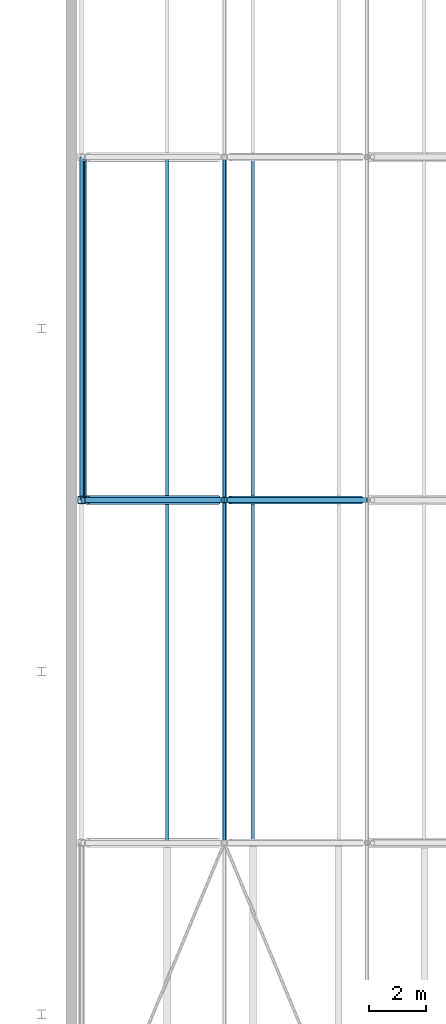
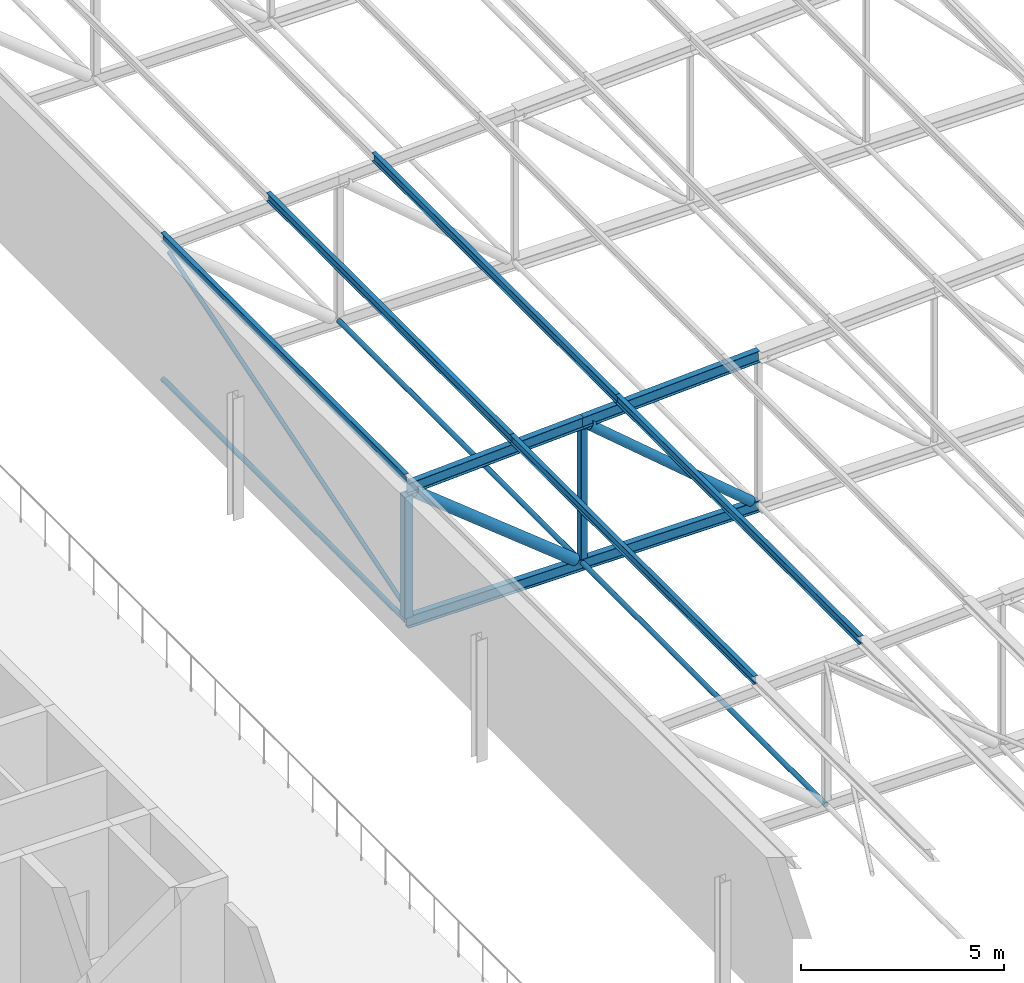
# One storey, part 51 of 156: 17 members.
"""IFC4 building model written with IfcOpenShell, lengths in metres."""

import ifcopenshell
import ifcopenshell.guid

model = None  # the IFC model being written
_history = None  # IfcOwnerHistory: only IFC2X3 demands one
_inside = {}  # id of a spatial element -> (the spatial element, [elements in it])
_under = {}  # id of a project, library or spatial element -> (it, [spatial elements below it])
_declared = {}  # id of a project -> (the project, [libraries it declares])
_typed = {}  # id of a type object -> (the type object, [elements of that type])
_made_of = {}  # id of a material, layer set ... -> (it, [elements and type objects made of it])


def new_model(schema):
    """Start an empty IFC model of exactly this schema.

    Asked for "IFC4X3", IfcOpenShell would pick the latest addendum, in which some entities
    have other attributes; the version numbers below select the first issue.
    IFC2X3 requires an IfcOwnerHistory on every rooted entity: one is made here for all.
    """
    global model, _history
    if schema == "IFC4X3":
        model = ifcopenshell.file(schema_version=(4, 3, 0, 0))
    else:
        model = ifcopenshell.file(schema=schema)
    _inside.clear()
    _under.clear()
    _declared.clear()
    _typed.clear()
    _made_of.clear()
    _history = None
    if model.schema == "IFC2X3":
        org = make("IfcOrganization", Name="unknown")
        user = make(
            "IfcPersonAndOrganization",
            ThePerson=make("IfcPerson", FamilyName="unknown"),
            TheOrganization=org,
        )
        app = make(
            "IfcApplication",
            ApplicationDeveloper=org,
            Version="unknown",
            ApplicationFullName="unknown",
            ApplicationIdentifier="unknown",
        )
        _history = make(
            "IfcOwnerHistory",
            OwningUser=user,
            OwningApplication=app,
            ChangeAction="ADDED",
            CreationDate=0,
        )
    return model


def make(cls, **values):
    """One entity of the class cls with the attributes given. An attribute that is None is left unset."""
    return model.create_entity(
        cls, **{name: value for name, value in values.items() if value is not None}
    )


def rooted(cls, **values):
    """An entity with a GlobalId (a new one), such as an element, a storey or a relation."""
    return make(cls, GlobalId=ifcopenshell.guid.new(), OwnerHistory=_history, **values)


def si_unit(unit_type, name, prefix=None):
    """IfcSIUnit, for example si_unit("LENGTHUNIT", "METRE", prefix="MILLI")."""
    return make("IfcSIUnit", UnitType=unit_type, Prefix=prefix, Name=name)


def assignment(units):
    """IfcUnitAssignment: the units of a project."""
    return None if units is None else make("IfcUnitAssignment", Units=units)


def point(xyz):
    """IfcCartesianPoint."""
    return None if xyz is None else make("IfcCartesianPoint", Coordinates=xyz)


def direction(xyz):
    """IfcDirection."""
    return None if xyz is None else make("IfcDirection", DirectionRatios=xyz)


def frame(location, z_axis=None, x_axis=None):
    """IfcAxis2Placement3D, a coordinate frame: its origin and axes. An axis left out is left unset."""
    return make(
        "IfcAxis2Placement3D",
        Location=point(location),
        Axis=direction(z_axis),
        RefDirection=direction(x_axis),
    )


def frame_2d(location, x_axis=None):
    """IfcAxis2Placement2D, a coordinate frame in the plane: its origin and x axis."""
    return make(
        "IfcAxis2Placement2D", Location=point(location), RefDirection=direction(x_axis)
    )


def origin():
    """The frame at (0, 0, 0) with its axes left unset."""
    return frame((0.0, 0.0, 0.0))


def origin_2d():
    """The frame at (0, 0) in the plane with its x axis left unset."""
    return frame_2d((0.0, 0.0))


def place(relative_to, where):
    """IfcLocalPlacement: puts the frame where relative to a parent placement (None: the world)."""
    return make(
        "IfcLocalPlacement", PlacementRelTo=relative_to, RelativePlacement=where
    )


def context(
    kind, dimensions, precision=None, world=None, true_north=None, identifier=None
):
    """IfcGeometricRepresentationContext, for example the 3D "Model" context."""
    return make(
        "IfcGeometricRepresentationContext",
        ContextIdentifier=identifier,
        ContextType=kind,
        CoordinateSpaceDimension=dimensions,
        Precision=precision,
        WorldCoordinateSystem=world,
        TrueNorth=true_north,
    )


def subcontext(parent, identifier, kind, view, scale=None):
    """IfcGeometricRepresentationSubContext, for example "Body" below "Model"."""
    return make(
        "IfcGeometricRepresentationSubContext",
        ContextIdentifier=identifier,
        ContextType=kind,
        ParentContext=parent,
        TargetScale=scale,
        TargetView=view,
    )


def project(units=None, contexts=None):
    """IfcProject with its units and contexts."""
    return rooted(
        "IfcProject",
        Name="project",
        RepresentationContexts=contexts,
        UnitsInContext=assignment(units),
    )


def spatial(cls, under=None, at=None, **own):
    """A site, building, storey or space (cls), placed at a placement, below another one or the project."""
    s = rooted(cls, ObjectPlacement=at, **own)
    if under is not None:
        _under.setdefault(under.id(), (under, []))[1].append(s)
    return s


def profile(cls, at=None, kind="AREA", **sizes):
    """A parametric profile (cls). Its sizes go by their IFC names, for example OverallWidth=200.0."""
    return make(cls, ProfileType=kind, Position=at, **sizes)


def hollow_rectangle(**sizes):
    """IfcRectangleHollowProfileDef."""
    return profile("IfcRectangleHollowProfileDef", **sizes)


def hollow_circle(**sizes):
    """IfcCircleHollowProfileDef."""
    return profile("IfcCircleHollowProfileDef", **sizes)


def i_section(**sizes):
    """IfcIShapeProfileDef."""
    return profile("IfcIShapeProfileDef", **sizes)


def extrude(swept, where, along, depth):
    """IfcExtrudedAreaSolid: the profile swept, set in the frame where, extruded along a direction by depth."""
    return make(
        "IfcExtrudedAreaSolid",
        SweptArea=swept,
        Position=where,
        ExtrudedDirection=direction(along),
        Depth=depth,
    )


def shape(context_of_items, identifier, shape_type, items):
    """IfcShapeRepresentation: the items that make up one representation, for example the "Body"."""
    return make(
        "IfcShapeRepresentation",
        ContextOfItems=context_of_items,
        RepresentationIdentifier=identifier,
        RepresentationType=shape_type,
        Items=items,
    )


def material(Name=None, Category=None):
    """IfcMaterial."""
    return make("IfcMaterial", Name=Name, Category=Category)


def material_profile(
    of_material, cross_section, Name=None, Category=None, Priority=None
):
    """IfcMaterialProfile: a cross section and its material."""
    return make(
        "IfcMaterialProfile",
        Name=Name,
        Material=of_material,
        Profile=cross_section,
        Priority=Priority,
        Category=Category,
    )


def profile_set(profiles, Name=None, composite=None):
    """IfcMaterialProfileSet."""
    return make(
        "IfcMaterialProfileSet",
        Name=Name,
        MaterialProfiles=profiles,
        CompositeProfile=composite,
    )


def made_of(thing, what):
    """Note that an element or type object is made of a material, layer set ...; save() writes the relation."""
    if what is not None:
        _made_of.setdefault(what.id(), (what, []))[1].append(thing)
    return thing


def type_object(cls, material=None, **own):
    """A type object (cls), such as IfcWallType, which elements share."""
    return made_of(rooted(cls, **own), material)


def element(
    cls,
    number,
    at=None,
    inside=None,
    cuts=None,
    type_object=None,
    material=None,
    context=None,
    identifier="Body",
    shape_type=None,
    held_by="IfcProductDefinitionShape",
    body=None,
    shapes=None,
    **own,
):
    """One element of the class cls, such as IfcWall. Its Tag is "e" and its number.

    at: its placement. inside: the storey or other place that contains it. cuts: it is an
    opening in that element (IfcRelVoidsElement). A single representation is given by context,
    identifier, shape_type and body (its items); several are given by shapes. held_by: the class
    of the entity that holds the representations. save() writes the other relations.
    """
    e = rooted(cls, Tag="e%d" % number, ObjectPlacement=at, **own)
    if body is not None:
        shapes = [shape(context, identifier, shape_type, body)]
    if shapes is not None:
        e.Representation = make(held_by, Representations=shapes)
    if inside is not None:
        _inside.setdefault(inside.id(), (inside, []))[1].append(e)
    if cuts is not None:
        rooted(
            "IfcRelVoidsElement", RelatingBuildingElement=cuts, RelatedOpeningElement=e
        )
    if type_object is not None:
        _typed.setdefault(type_object.id(), (type_object, []))[1].append(e)
    return made_of(e, material)


def aggregate(whole, parts):
    """IfcRelAggregates: a whole, such as a stair, and the parts it consists of."""
    return rooted("IfcRelAggregates", RelatingObject=whole, RelatedObjects=parts)


def save(model, path):
    """Write the relations noted so far, then the file.

    IfcRelAggregates (storeys below a building ...), IfcRelContainedInSpatialStructure (elements
    in a storey), IfcRelDefinesByType, IfcRelAssociatesMaterial and IfcRelDeclares: one each for
    every whole, place, type object, material and project.
    """
    for whole, parts in _under.values():
        aggregate(whole, parts)
    for where, things in _inside.values():
        rooted(
            "IfcRelContainedInSpatialStructure",
            RelatedElements=things,
            RelatingStructure=where,
        )
    for kind, things in _typed.values():
        rooted("IfcRelDefinesByType", RelatedObjects=things, RelatingType=kind)
    for what, things in _made_of.values():
        rooted("IfcRelAssociatesMaterial", RelatedObjects=things, RelatingMaterial=what)
    for by, libraries in _declared.values():
        rooted("IfcRelDeclares", RelatingContext=by, RelatedDefinitions=libraries)
    model.write(path)


model = new_model("IFC4")

# Units and contexts
model_context = context("Model", 3, precision=1e-05, world=origin(), true_north=direction((0.0, 1.0)))
body_context = subcontext(model_context, "Body", "Model", "MODEL_VIEW")
ifc_project = project(units=[si_unit("LENGTHUNIT", "METRE"), si_unit("AREAUNIT", "SQUARE_METRE"), si_unit("VOLUMEUNIT", "CUBIC_METRE"), si_unit("PLANEANGLEUNIT", "RADIAN"), si_unit("MASSUNIT", "GRAM", prefix="KILO")], contexts=[model_context])

# Site, building, storey
site_placement = place(None, origin())
site = spatial("IfcSite", under=ifc_project, at=site_placement, CompositionType="ELEMENT")
building_placement = place(site_placement, origin())
building = spatial("IfcBuilding", under=site, at=building_placement, Name="Lilac Gate Convention Centre", CompositionType="ELEMENT")
storey_placement = place(building_placement, frame((0.0, 0.0, 17.0)))
storey = spatial("IfcBuildingStorey", under=building, at=storey_placement, Name="L03", CompositionType="ELEMENT", Elevation=17.0)

# Members
ifc_material = material(Name="Steel Q355B", Category="steel")
ifc_material_profile_1 = material_profile(ifc_material, hollow_circle(Radius=0.06982421875, WallThickness=0.0048828125, at=origin_2d()), Name="CHS139.7x5")
ifc_profile_set_1 = profile_set([ifc_material_profile_1], Name="Steel Q355B")
member_type_1 = type_object("IfcMemberType", Name="Bottom chord tie CHS139.7x5", PredefinedType="STRUT", material=ifc_profile_set_1)
for number, where, z_axis, x_axis, name in (
    (1, (35.0, 90.00341796875, 0.0), (0.0, 1.0, 0.0), (-1.0, 0.0, 0.0), "ST1 tie bay 6 node 2"),
    (2, (30.0, 102.00341796875, 0.0), (0.0, 1.0, 0.0), (-1.0, 0.0, 0.0), "ST1 tie bay 7 node 1"),
    (3, (35.0, 102.00341796875, 0.0), (0.0, 1.0, 0.0), (-1.0, 0.0, 0.0), "ST1 tie bay 7 node 2"),
):
    element("IfcMember", number, at=place(storey_placement, frame(where, z_axis=z_axis, x_axis=x_axis)), inside=storey, type_object=member_type_1, Name=name, PredefinedType="STRUT", context=body_context, shape_type="SweptSolid", body=[
        extrude(hollow_circle(Radius=0.06982421875, WallThickness=0.0048828125, at=origin_2d()), origin(), (0.0, 0.0, 1.0), 11.9931640625),
    ])
ifc_material_profile_2 = material_profile(ifc_material, i_section(OverallWidth=0.125, OverallDepth=0.25, WebThickness=0.006103515625, FlangeThickness=0.009033203125, FilletRadius=0.008056640625, at=origin_2d()), Name="HN250x125x6x9")
ifc_profile_set_2 = profile_set([ifc_material_profile_2], Name="Steel Q355B")
member_type_2 = type_object("IfcMemberType", Name="Roof purlin HN250x125x6x9", PredefinedType="PURLIN", material=ifc_profile_set_2)
for number, where, z_axis, x_axis, name in (
    (4, (33.0, 90.0, 4.4501953125), (0.0, 1.0, 0.0), (-1.0, 0.0, 0.0), "PU2 purlin bay 6 line 2"),
    (5, (36.0, 90.0, 4.60009765625), (0.0, 1.0, 0.0), (-1.0, 0.0, 0.0), "PU2 purlin bay 6 line 3"),
    (6, (30.0, 102.0, 4.30029296875), (0.0, 1.0, 0.0), (-1.0, 0.0, 0.0), "PU2 purlin bay 7 line 1"),
    (7, (33.0, 102.0, 4.4501953125), (0.0, 1.0, 0.0), (-1.0, 0.0, 0.0), "PU2 purlin bay 7 line 2"),
    (8, (36.0, 102.0, 4.60009765625), (0.0, 1.0, 0.0), (-1.0, 0.0, 0.0), "PU2 purlin bay 7 line 3"),
):
    element("IfcMember", number, at=place(storey_placement, frame(where, z_axis=z_axis, x_axis=x_axis)), inside=storey, type_object=member_type_2, Name=name, PredefinedType="PURLIN", context=body_context, shape_type="SweptSolid", body=[
        extrude(i_section(OverallWidth=0.125, OverallDepth=0.25, WebThickness=0.006103515625, FlangeThickness=0.009033203125, FilletRadius=0.008056640625, at=origin_2d()), origin(), (0.0, 0.0, 1.0), 12.0),
    ])
ifc_material_profile_3 = material_profile(ifc_material, i_section(OverallWidth=0.175048828125, OverallDepth=0.35009765625, WebThickness=0.007080078125, FlangeThickness=0.010986328125, FilletRadius=0.012939453125, at=origin_2d()), Name="HN350x175x7x11")
ifc_profile_set_3 = profile_set([ifc_material_profile_3], Name="Steel Q355B")
member_type_3 = type_object("IfcMemberType", Name="Truss bottom chord HN350x175x7x11", PredefinedType="CHORD", material=ifc_profile_set_3)
for number, where, z_axis, x_axis, name in (
    (9, (30.0, 102.0, 0.0), (1.0, 0.0, 0.0), (0.0, 1.0, 0.0), "TB1 truss 7 bottom chord 1"),
    (10, (35.0, 102.0, 0.0), (1.0, 0.0, 0.0), (0.0, 1.0, 0.0), "TB1 truss 7 bottom chord 2"),
):
    element("IfcMember", number, at=place(storey_placement, frame(where, z_axis=z_axis, x_axis=x_axis)), inside=storey, type_object=member_type_3, Name=name, PredefinedType="CHORD", context=body_context, shape_type="SweptSolid", body=[
        extrude(i_section(OverallWidth=0.175048828125, OverallDepth=0.35009765625, WebThickness=0.007080078125, FlangeThickness=0.010986328125, FilletRadius=0.012939453125, at=origin_2d()), origin(), (0.0, 0.0, 1.0), 5.0),
    ])
ifc_material_profile_4 = material_profile(ifc_material, hollow_circle(Radius=0.136474609375, WallThickness=0.010009765625, at=origin_2d()), Name="CHS273x10")
ifc_profile_set_4 = profile_set([ifc_material_profile_4], Name="Steel Q355B")
member_type_4 = type_object("IfcMemberType", Name="Truss diagonal CHS273x10", PredefinedType="BRACE", material=ifc_profile_set_4)
member_1_placement = place(storey_placement, frame((35.193115234375, 102.0, 4.085693359375), z_axis=(0.761961263863, 0.0, -0.647622600263), x_axis=(0.0, 1.0, 0.0)))
element("IfcMember", 11, at=member_1_placement, inside=storey, type_object=member_type_4, Name="TW2 truss 7 diagonal 2", PredefinedType="BRACE", context=body_context, shape_type="SweptSolid", body=[
    extrude(hollow_circle(Radius=0.136474609375, WallThickness=0.010009765625, at=origin_2d()), origin(), (0.0, 0.0, 1.0), 6.03857421875),
])
ifc_material_profile_5 = material_profile(ifc_material, hollow_circle(Radius=0.161865234375, WallThickness=0.011962890625, at=origin_2d()), Name="CHS323.9x12")
ifc_profile_set_5 = profile_set([ifc_material_profile_5], Name="Steel Q355B")
member_type_5 = type_object("IfcMemberType", Name="Truss diagonal CHS323.9x12", PredefinedType="BRACE", material=ifc_profile_set_5)
member_2_placement = place(storey_placement, frame((30.205322265625, 102.0, 3.835693359375), z_axis=(0.780876938611, 0.0, -0.624684885959), x_axis=(0.0, 1.0, 0.0)))
element("IfcMember", 12, at=member_2_placement, inside=storey, type_object=member_type_5, Name="TW1 truss 7 diagonal 1", PredefinedType="BRACE", context=body_context, shape_type="SweptSolid", body=[
    extrude(hollow_circle(Radius=0.161865234375, WallThickness=0.011962890625, at=origin_2d()), origin(), (0.0, 0.0, 1.0), 5.860107421875),
])
ifc_material_profile_6 = material_profile(ifc_material, i_section(OverallWidth=0.175048828125, OverallDepth=0.35009765625, WebThickness=0.007080078125, FlangeThickness=0.010986328125, FilletRadius=0.012939453125, at=origin_2d()), Name="HN350x175x7x11")
ifc_profile_set_6 = profile_set([ifc_material_profile_6], Name="Steel Q355B")
member_type_6 = type_object("IfcMemberType", Name="Truss top chord HN350x175x7x11", PredefinedType="CHORD", material=ifc_profile_set_6)
for number, where, z_axis, x_axis, name in (
    (13, (30.0, 102.0, 4.0), (0.998752338878, 0.0, 0.049937616944), (0.0, 1.0, 0.0), "TT1 truss 7 top chord 1"),
    (14, (35.0, 102.0, 4.25), (0.998752338878, 0.0, 0.049937616944), (0.0, 1.0, 0.0), "TT1 truss 7 top chord 2"),
):
    element("IfcMember", number, at=place(storey_placement, frame(where, z_axis=z_axis, x_axis=x_axis)), inside=storey, type_object=member_type_6, Name=name, PredefinedType="CHORD", context=body_context, shape_type="SweptSolid", body=[
        extrude(i_section(OverallWidth=0.175048828125, OverallDepth=0.35009765625, WebThickness=0.007080078125, FlangeThickness=0.010986328125, FilletRadius=0.012939453125, at=origin_2d()), origin(), (0.0, 0.0, 1.0), 5.00634765625),
    ])
ifc_material_profile_7 = material_profile(ifc_material, hollow_rectangle(XDim=0.199951171875, YDim=0.199951171875, WallThickness=0.008056640625, InnerFilletRadius=0.011962890625, OuterFilletRadius=0.02001953125, at=origin_2d()), Name="SHS200x200x8")
ifc_profile_set_7 = profile_set([ifc_material_profile_7], Name="Steel Q355B")
member_type_7 = type_object("IfcMemberType", Name="Truss vertical SHS200x200x8", PredefinedType="STRUT", material=ifc_profile_set_7)
member_3_placement = place(storey_placement, frame((35.0, 102.0, 0.175048828125), z_axis=(0.0, 0.0, 1.0), x_axis=(1.0, 0.0, 0.0)))
element("IfcMember", 15, at=member_3_placement, inside=storey, type_object=member_type_7, Name="TV2 truss 7 vertical 2", PredefinedType="STRUT", context=body_context, shape_type="SweptSolid", body=[
    extrude(hollow_rectangle(XDim=0.199951171875, YDim=0.199951171875, WallThickness=0.008056640625, InnerFilletRadius=0.011962890625, OuterFilletRadius=0.02001953125, at=origin_2d()), origin(), (0.0, 0.0, 1.0), 3.899658203125),
])
ifc_material_profile_8 = material_profile(ifc_material, hollow_rectangle(XDim=0.25, YDim=0.25, WallThickness=0.010009765625, InnerFilletRadius=0.014892578125, OuterFilletRadius=0.02490234375, at=origin_2d()), Name="SHS250x250x10")
ifc_profile_set_8 = profile_set([ifc_material_profile_8], Name="Steel Q355B")
member_type_8 = type_object("IfcMemberType", Name="Truss vertical SHS250x250x10", PredefinedType="STRUT", material=ifc_profile_set_8)
member_4_placement = place(storey_placement, frame((30.0, 102.0, 0.175048828125), z_axis=(0.0, 0.0, 1.0), x_axis=(1.0, 0.0, 0.0)))
element("IfcMember", 16, at=member_4_placement, inside=storey, type_object=member_type_8, Name="TV1 truss 7 vertical 1", PredefinedType="STRUT", context=body_context, shape_type="SweptSolid", body=[
    extrude(hollow_rectangle(XDim=0.25, YDim=0.25, WallThickness=0.010009765625, InnerFilletRadius=0.014892578125, OuterFilletRadius=0.02490234375, at=origin_2d()), origin(), (0.0, 0.0, 1.0), 3.649658203125),
])
ifc_material_profile_9 = material_profile(ifc_material, hollow_circle(Radius=0.05712890625, WallThickness=0.006103515625, at=origin_2d()), Name="CHS114.3x6")
ifc_profile_set_9 = profile_set([ifc_material_profile_9], Name="Steel Q355B")
member_type_9 = type_object("IfcMemberType", Name="Vertical bracing CHS114.3x6", PredefinedType="BRACE", material=ifc_profile_set_9)
member_5_placement = place(storey_placement, frame((30.1201171875, 102.08740234375, 0.175048828125), z_axis=(0.0, 0.955386652678, 0.295357992757), x_axis=(-1.0, 0.0, 0.0)))
element("IfcMember", 17, at=member_5_placement, inside=storey, type_object=member_type_9, Name="BR2 vertical bracing bay 7 line 1", PredefinedType="BRACE", context=body_context, shape_type="SweptSolid", body=[
    extrude(hollow_circle(Radius=0.05712890625, WallThickness=0.006103515625, at=origin_2d()), origin(), (0.0, 0.0, 1.0), 12.37744140625),
])

save(model, "model.ifc")
